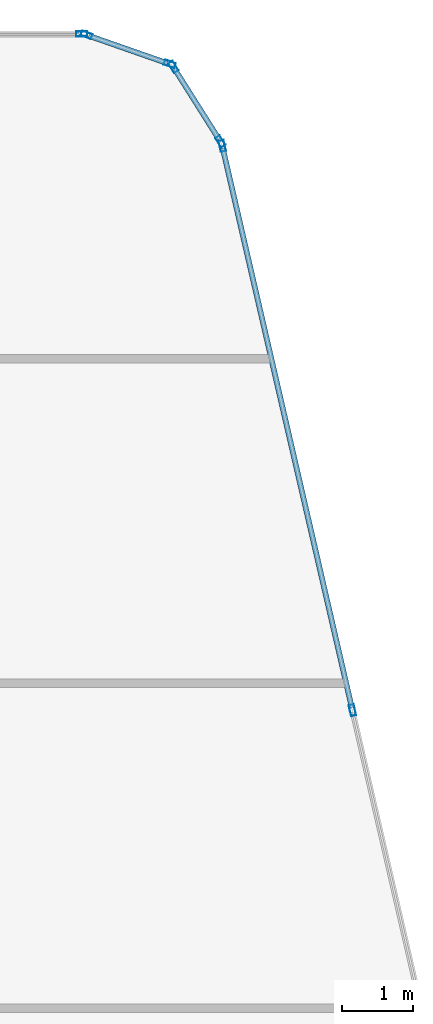
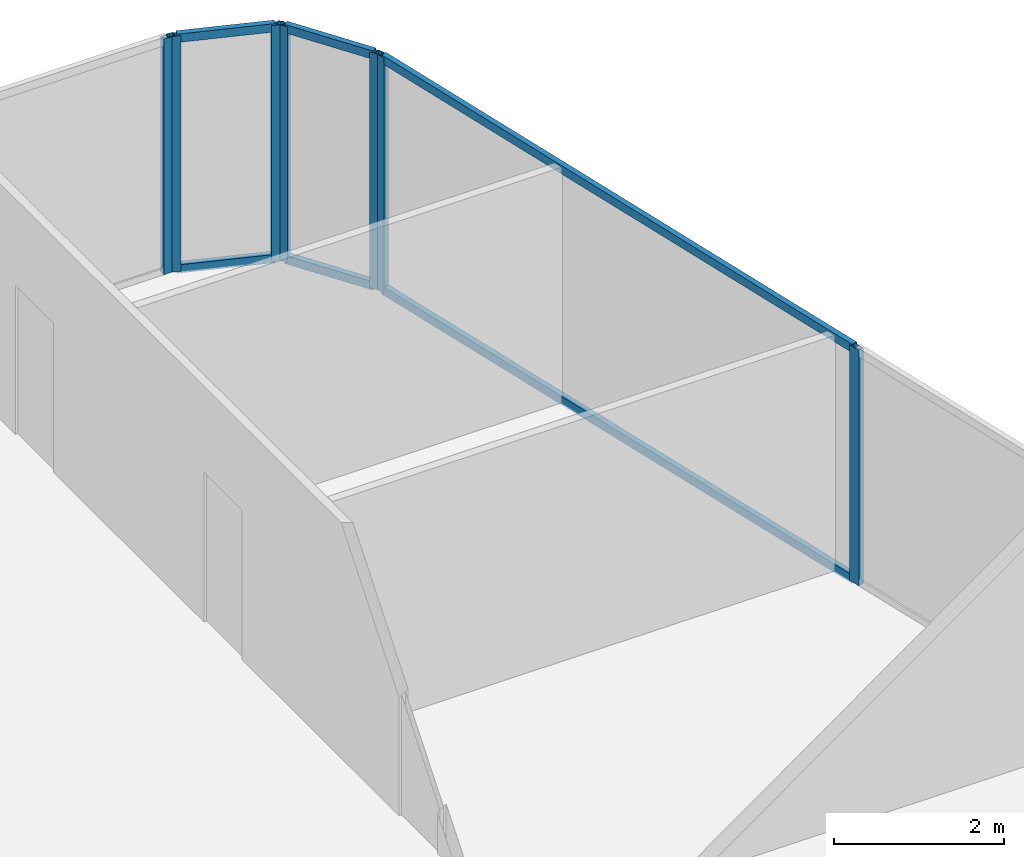
# One storey, part 19 of 27: 13 members, 4 elements without a shape of their own.
"""IFC4 building model written with IfcOpenShell, lengths in metres."""

from ifc_helpers import new_model, si_unit, direction, frame, origin, origin_2d, place, context, subcontext, project, spatial, hollow_rectangle, extrude, material, layer, layer_set, material_profile, profile_set, type_object, element, aggregate, save


model = new_model("IFC4")

# Units and contexts
model_context = context("Model", 3, precision=1e-05, world=origin(), true_north=direction((0.0, 1.0)))
body_context = subcontext(model_context, "Body", "Model", "MODEL_VIEW")
ifc_project = project(units=[si_unit("LENGTHUNIT", "METRE"), si_unit("AREAUNIT", "SQUARE_METRE"), si_unit("VOLUMEUNIT", "CUBIC_METRE"), si_unit("PLANEANGLEUNIT", "RADIAN"), si_unit("MASSUNIT", "GRAM", prefix="KILO")], contexts=[model_context])

# Site, building, storey
site_placement = place(None, origin())
site = spatial("IfcSite", under=ifc_project, at=site_placement, CompositionType="ELEMENT")
building_placement = place(site_placement, origin())
building = spatial("IfcBuilding", under=site, at=building_placement, Name="Keshet Zoharim Tower", CompositionType="ELEMENT")
storey_placement = place(building_placement, frame((0.0, 0.0, 307.300048828125)))
storey = spatial("IfcBuildingStorey", under=building, at=storey_placement, Name="L77", CompositionType="ELEMENT", Elevation=307.300048828125)

# Curtain wall, member
ifc_material = material(Name="Aluminium 6063-T6", Category="aluminium")
ifc_layer = layer(ifc_material, 0.260009765625)
ifc_layer_set = layer_set([ifc_layer], Name="Aluminium 6063-T6")
curtain_wall_type = type_object("IfcCurtainWallType", Name="CW-SYS-06", PredefinedType="NOTDEFINED", material=ifc_layer_set)
curtain_wall_1_placement = place(storey_placement, origin())
curtain_wall_1 = element("IfcCurtainWall", 1, at=curtain_wall_1_placement, inside=storey, type_object=curtain_wall_type, Name="L77 Unitised Curtain Wall 06 Part 5", PredefinedType="NOTDEFINED")
ifc_material_profile_1 = material_profile(ifc_material, hollow_rectangle(XDim=0.074951171875, YDim=0.159912109375, WallThickness=0.00390625, at=origin_2d()), Name="MUL-75x160")
ifc_profile_set_1 = profile_set([ifc_material_profile_1], Name="Aluminium 6063-T6")
member_type_1 = type_object("IfcMemberType", Name="CWM-M15", PredefinedType="MULLION", material=ifc_profile_set_1)
member_1_placement = place(storey_placement, frame((37.3740234375, 53.89990234375, 0.0), z_axis=(0.0, 0.0, 1.0), x_axis=(0.0, 1.0, 0.0)))
member_1 = element("IfcMember", 2, at=member_1_placement, type_object=member_type_1, Name="CW-06 mullion 2", PredefinedType="MULLION", context=body_context, shape_type="SweptSolid", body=[
    extrude(hollow_rectangle(XDim=0.074951171875, YDim=0.159912109375, WallThickness=0.00390625, at=origin_2d()), origin(), (0.0, 0.0, 1.0), 3.389892578125),
])
aggregate(curtain_wall_1, [member_1])

# Curtain wall, members
curtain_wall_2_placement = place(storey_placement, origin())
curtain_wall_2 = element("IfcCurtainWall", 3, at=curtain_wall_2_placement, inside=storey, type_object=curtain_wall_type, Name="L77 Unitised Curtain Wall 07", PredefinedType="NOTDEFINED")
member_2_placement = place(storey_placement, frame((37.442138671875, 53.888427734375, 0.0), z_axis=(0.0, 0.0, 1.0), x_axis=(0.329843743636, 0.944035542119, 0.0)))
member_2 = element("IfcMember", 4, at=member_2_placement, type_object=member_type_1, Name="CW-06 mullion 1", PredefinedType="MULLION", context=body_context, shape_type="SweptSolid", body=[
    extrude(hollow_rectangle(XDim=0.074951171875, YDim=0.159912109375, WallThickness=0.00390625, at=origin_2d()), origin(), (0.0, 0.0, 1.0), 3.389892578125),
])
member_3_placement = place(storey_placement, frame((38.620849609375, 53.4765625, 0.0), z_axis=(0.0, 0.0, 1.0), x_axis=(0.329843743636, 0.944035542119, 0.0)))
member_3 = element("IfcMember", 5, at=member_3_placement, type_object=member_type_1, Name="CW-06 mullion 2", PredefinedType="MULLION", context=body_context, shape_type="SweptSolid", body=[
    extrude(hollow_rectangle(XDim=0.074951171875, YDim=0.159912109375, WallThickness=0.00390625, at=origin_2d()), origin(), (0.0, 0.0, 1.0), 3.389892578125),
])

curtain_wall_3_placement = place(storey_placement, origin())
curtain_wall_3 = element("IfcCurtainWall", 6, at=curtain_wall_3_placement, inside=storey, type_object=curtain_wall_type, Name="L77 Unitised Curtain Wall 08", PredefinedType="NOTDEFINED")
member_4_placement = place(storey_placement, frame((38.672607421875, 53.435302734375, 0.0), z_axis=(0.0, 0.0, 1.0), x_axis=(0.845560976183, 0.533878858502, 0.0)))
member_4 = element("IfcMember", 7, at=member_4_placement, type_object=member_type_1, Name="CW-06 mullion 1", PredefinedType="MULLION", context=body_context, shape_type="SweptSolid", body=[
    extrude(hollow_rectangle(XDim=0.074951171875, YDim=0.159912109375, WallThickness=0.00390625, at=origin_2d()), origin(), (0.0, 0.0, 1.0), 3.389892578125),
])
member_5_placement = place(storey_placement, frame((39.33935546875, 52.379638671875, 0.0), z_axis=(0.0, 0.0, 1.0), x_axis=(0.845560976183, 0.533878858502, 0.0)))
member_5 = element("IfcMember", 8, at=member_5_placement, type_object=member_type_1, Name="CW-06 mullion 2", PredefinedType="MULLION", context=body_context, shape_type="SweptSolid", body=[
    extrude(hollow_rectangle(XDim=0.074951171875, YDim=0.159912109375, WallThickness=0.00390625, at=origin_2d()), origin(), (0.0, 0.0, 1.0), 3.389892578125),
])

curtain_wall_4_placement = place(storey_placement, origin())
curtain_wall_4 = element("IfcCurtainWall", 9, at=curtain_wall_4_placement, inside=storey, type_object=curtain_wall_type, Name="L77 Unitised Curtain Wall 09", PredefinedType="NOTDEFINED")
member_6_placement = place(storey_placement, frame((39.365966796875, 52.31591796875, 0.0), z_axis=(0.0, 0.0, 1.0), x_axis=(0.974398012932, 0.224829963294, 0.0)))
member_6 = element("IfcMember", 10, at=member_6_placement, type_object=member_type_1, Name="CW-06 mullion 1", PredefinedType="MULLION", context=body_context, shape_type="SweptSolid", body=[
    extrude(hollow_rectangle(XDim=0.074951171875, YDim=0.159912109375, WallThickness=0.00390625, at=origin_2d()), origin(), (0.0, 0.0, 1.0), 3.389892578125),
])
member_7_placement = place(storey_placement, frame((41.210693359375, 44.320556640625, 0.0), z_axis=(0.0, 0.0, 1.0), x_axis=(0.974398012932, 0.224829963294, 0.0)))
member_7 = element("IfcMember", 11, at=member_7_placement, type_object=member_type_1, Name="CW-06 mullion 2", PredefinedType="MULLION", context=body_context, shape_type="SweptSolid", body=[
    extrude(hollow_rectangle(XDim=0.074951171875, YDim=0.159912109375, WallThickness=0.00390625, at=origin_2d()), origin(), (0.0, 0.0, 1.0), 3.389892578125),
])

# Member
ifc_material_profile_2 = material_profile(ifc_material, hollow_rectangle(XDim=0.074951171875, YDim=0.1201171875, WallThickness=0.00390625, at=origin_2d()), Name="TRN-75x120")
ifc_profile_set_2 = profile_set([ifc_material_profile_2], Name="Aluminium 6063-T6")
member_type_2 = type_object("IfcMemberType", Name="CWT-T12", PredefinedType="USERDEFINED", material=ifc_profile_set_2)
member_8_placement = place(storey_placement, frame((37.47509765625, 53.876953125, 0.034912109375), z_axis=(0.944006789648, -0.329926023675, 0.0), x_axis=(0.329926023675, 0.944006789648, 0.0)))
member_8 = element("IfcMember", 12, at=member_8_placement, type_object=member_type_2, Name="CW-06 transom 1.1", ObjectType="TRANSOM", PredefinedType="USERDEFINED", context=body_context, shape_type="SweptSolid", body=[
    extrude(hollow_rectangle(XDim=0.074951171875, YDim=0.1201171875, WallThickness=0.00390625, at=origin_2d()), origin(), (0.0, 0.0, 1.0), 1.1787109375),
])

member_9_placement = place(storey_placement, frame((37.47509765625, 53.876953125, 3.35498046875), z_axis=(0.944006789648, -0.329926023675, 0.0), x_axis=(0.329926023675, 0.944006789648, 0.0)))
member_9 = element("IfcMember", 13, at=member_9_placement, type_object=member_type_2, Name="CW-06 transom 1.2", ObjectType="TRANSOM", PredefinedType="USERDEFINED", context=body_context, shape_type="SweptSolid", body=[
    extrude(hollow_rectangle(XDim=0.074951171875, YDim=0.1201171875, WallThickness=0.00390625, at=origin_2d()), origin(), (0.0, 0.0, 1.0), 1.1787109375),
])

aggregate(curtain_wall_2, [member_2, member_3, member_8, member_9])

member_10_placement = place(storey_placement, frame((38.69140625, 53.40576171875, 0.034912109375), z_axis=(0.53382931122, -0.845592257819, 0.0), x_axis=(0.845592257819, 0.53382931122, 0.0)))
member_10 = element("IfcMember", 14, at=member_10_placement, type_object=member_type_2, Name="CW-06 transom 1.1", ObjectType="TRANSOM", PredefinedType="USERDEFINED", context=body_context, shape_type="SweptSolid", body=[
    extrude(hollow_rectangle(XDim=0.074951171875, YDim=0.1201171875, WallThickness=0.00390625, at=origin_2d()), origin(), (0.0, 0.0, 1.0), 1.178466796875),
])

member_11_placement = place(storey_placement, frame((38.69140625, 53.40576171875, 3.35498046875), z_axis=(0.53382931122, -0.845592257819, 0.0), x_axis=(0.845592257819, 0.53382931122, 0.0)))
member_11 = element("IfcMember", 15, at=member_11_placement, type_object=member_type_2, Name="CW-06 transom 1.2", ObjectType="TRANSOM", PredefinedType="USERDEFINED", context=body_context, shape_type="SweptSolid", body=[
    extrude(hollow_rectangle(XDim=0.074951171875, YDim=0.1201171875, WallThickness=0.00390625, at=origin_2d()), origin(), (0.0, 0.0, 1.0), 1.178466796875),
])

aggregate(curtain_wall_3, [member_4, member_5, member_10, member_11])

member_12_placement = place(storey_placement, frame((39.373779296875, 52.28173828125, 0.034912109375), z_axis=(0.224835397421, -0.97439675906, 0.0), x_axis=(0.97439675906, 0.224835397421, 0.0)))
member_12 = element("IfcMember", 16, at=member_12_placement, type_object=member_type_2, Name="CW-06 transom 1.1", ObjectType="TRANSOM", PredefinedType="USERDEFINED", context=body_context, shape_type="SweptSolid", body=[
    extrude(hollow_rectangle(XDim=0.074951171875, YDim=0.1201171875, WallThickness=0.00390625, at=origin_2d()), origin(), (0.0, 0.0, 1.0), 8.13525390625),
])

member_13_placement = place(storey_placement, frame((39.373779296875, 52.28173828125, 3.35498046875), z_axis=(0.224835397421, -0.97439675906, 0.0), x_axis=(0.97439675906, 0.224835397421, 0.0)))
member_13 = element("IfcMember", 17, at=member_13_placement, type_object=member_type_2, Name="CW-06 transom 1.2", ObjectType="TRANSOM", PredefinedType="USERDEFINED", context=body_context, shape_type="SweptSolid", body=[
    extrude(hollow_rectangle(XDim=0.074951171875, YDim=0.1201171875, WallThickness=0.00390625, at=origin_2d()), origin(), (0.0, 0.0, 1.0), 8.13525390625),
])

aggregate(curtain_wall_4, [member_6, member_7, member_12, member_13])

save(model, "model.ifc")
